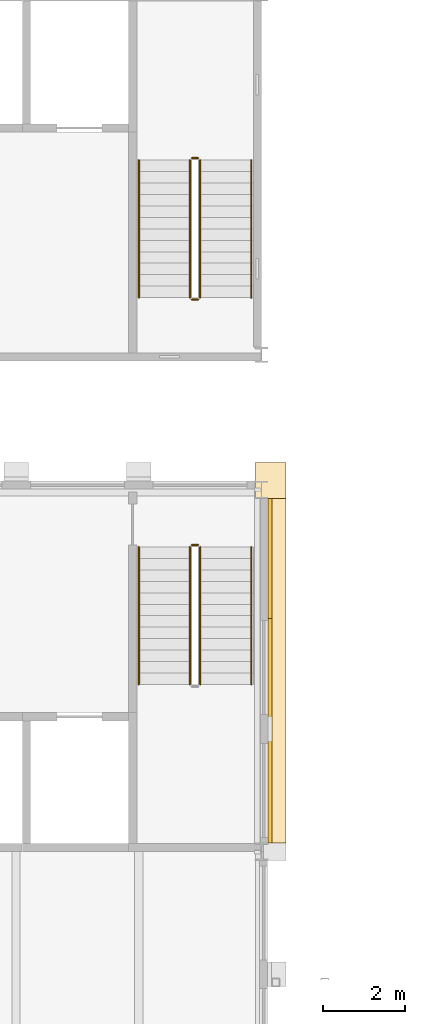
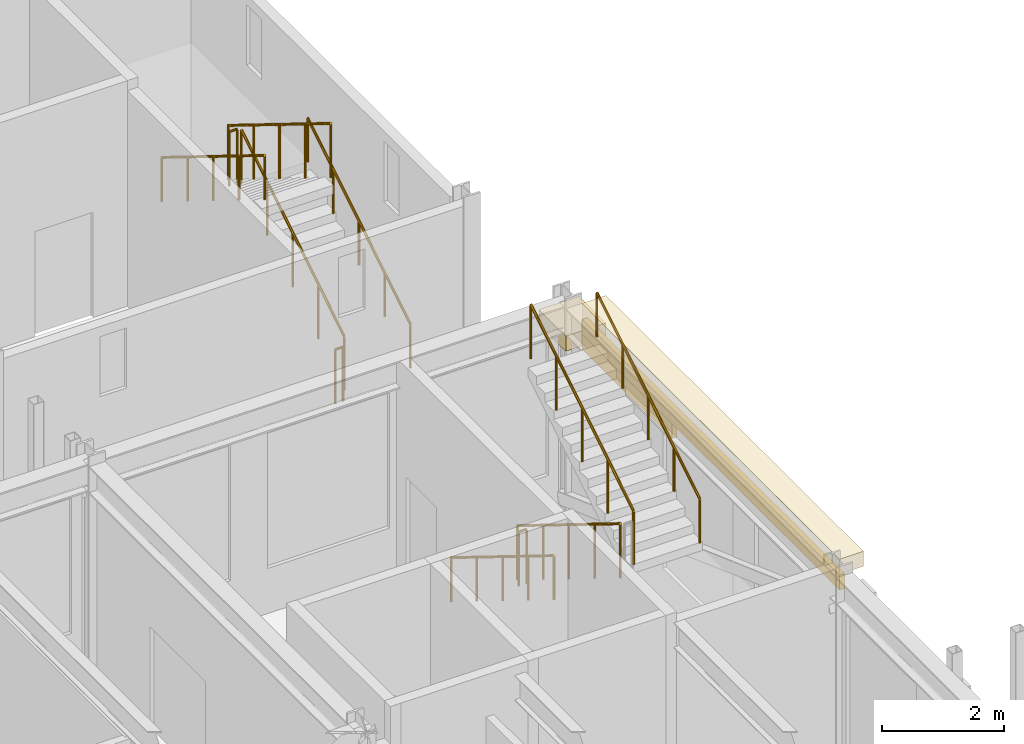
# One storey, part 146 of 153: 11 railings, 4 coverings.
"""IFC4 building model written with IfcOpenShell, lengths in metres."""

from ifc_helpers import new_model, si_unit, direction, frame, origin, origin_2d, place, context, subcontext, project, spatial, rectangle, circle, extrude, material, layer, layer_set, type_object, element, save


model = new_model("IFC4")

# Units and contexts
model_context = context("Model", 3, precision=1e-05, world=origin(), true_north=direction((0.0, 1.0)))
body_context = subcontext(model_context, "Body", "Model", "MODEL_VIEW")
ifc_project = project(units=[si_unit("LENGTHUNIT", "METRE"), si_unit("AREAUNIT", "SQUARE_METRE"), si_unit("VOLUMEUNIT", "CUBIC_METRE"), si_unit("PLANEANGLEUNIT", "RADIAN"), si_unit("MASSUNIT", "GRAM", prefix="KILO")], contexts=[model_context])

# Site, building, storey
site_placement = place(None, origin())
site = spatial("IfcSite", under=ifc_project, at=site_placement, CompositionType="ELEMENT")
building_placement = place(site_placement, origin())
building = spatial("IfcBuilding", under=site, at=building_placement, Name="Kallimachos Central Library", CompositionType="ELEMENT")
storey_placement = place(building_placement, frame((0.0, 0.0, 5.39990234375)))
storey = spatial("IfcBuildingStorey", under=building, at=storey_placement, Name="L01", CompositionType="ELEMENT", Elevation=5.39990234375)

# Coverings
ifc_material_1 = material(Name="Glazed ceramic frieze, green")
ifc_layer_1 = layer(ifc_material_1, 0.10009765625)
ifc_layer_set_1 = layer_set([ifc_layer_1], Name="Glazed ceramic frieze, green")
covering_type_1 = type_object("IfcCoveringType", Name="Glazed ceramic frieze, green", PredefinedType="CLADDING", material=ifc_layer_set_1)
covering_1_placement = place(storey_placement, frame((110.70361328125, 79.425048828125, 3.68017578125), z_axis=(0.0, 0.0, 1.0), x_axis=(1.0, 0.0, 0.0)))
element("IfcCovering", 1, at=covering_1_placement, inside=storey, type_object=covering_type_1, Name="Glazed ceramic frieze, green -L01-032", PredefinedType="CLADDING", context=body_context, shape_type="SweptSolid", body=[
    extrude(rectangle(XDim=0.10009765625, YDim=8.41796875, at=origin_2d()), origin(), (0.0, 0.0, 1.0), 0.300048828125),
])
ifc_material_2 = material(Name="Glazed ceramic frieze, ochre")
ifc_layer_2 = layer(ifc_material_2, 0.10009765625)
ifc_layer_set_2 = layer_set([ifc_layer_2], Name="Glazed ceramic frieze, ochre")
covering_type_2 = type_object("IfcCoveringType", Name="Glazed ceramic frieze, ochre", PredefinedType="CLADDING", material=ifc_layer_set_2)
covering_2_placement = place(storey_placement, frame((110.70361328125, 82.1669921875, 3.3798828125), z_axis=(0.0, 0.0, 1.0), x_axis=(1.0, 0.0, 0.0)))
element("IfcCovering", 2, at=covering_2_placement, inside=storey, type_object=covering_type_2, Name="Glazed ceramic frieze, ochre -L01-032", PredefinedType="CLADDING", context=body_context, shape_type="SweptSolid", body=[
    extrude(rectangle(XDim=0.10009765625, YDim=2.93408203125, at=origin_2d()), origin(), (0.0, 0.0, 1.0), 0.300048828125),
])

# Railings
ifc_material_3 = material(Name="Wrought iron")
railing_type_1 = type_object("IfcRailingType", Name="Stair guard", PredefinedType="GUARDRAIL", material=ifc_material_3)
railing_1_placement = place(storey_placement, frame((108.75, 82.449951171875, 0.173095703125)))
element("IfcRailing", 3, at=railing_1_placement, inside=storey, type_object=railing_type_1, Name="L01 ST10 stair guard 1", PredefinedType="GUARDRAIL", context=body_context, shape_type="SweptSolid", body=[
    extrude(circle(Radius=0.02392578125, at=origin_2d()), frame((0.0, 0.0, 1.076171875), z_axis=(0.0, -0.850606129759, 0.525803396734), x_axis=(1.0, 0.0, 0.0)), (0.0, 0.0, 1.0), 3.949951171875),
    extrude(circle(Radius=0.02099609375, at=origin_2d()), origin(), (0.0, 0.0, 1.0), 1.052001953125),
    extrude(circle(Radius=0.02099609375, at=origin_2d()), frame((0.0, -0.83984375, 0.519287109375)), (0.0, 0.0, 1.0), 1.052001953125),
    extrude(circle(Radius=0.02099609375, at=origin_2d()), frame((0.0, -1.679931640625, 1.03857421875)), (0.0, 0.0, 1.0), 1.052001953125),
    extrude(circle(Radius=0.02099609375, at=origin_2d()), frame((0.0, -2.52001953125, 1.5576171875)), (0.0, 0.0, 1.0), 1.052001953125),
    extrude(circle(Radius=0.02099609375, at=origin_2d()), frame((0.0, -3.35986328125, 2.076904296875)), (0.0, 0.0, 1.0), 1.052001953125),
])
railing_2_placement = place(storey_placement, frame((109.0, 79.090087890625, 2.423095703125)))
element("IfcRailing", 4, at=railing_2_placement, inside=storey, type_object=railing_type_1, Name="L01 ST10 stair guard 3", PredefinedType="GUARDRAIL", context=body_context, shape_type="SweptSolid", body=[
    extrude(circle(Radius=0.02392578125, at=origin_2d()), frame((0.0, 0.0, 1.076171875), z_axis=(0.0, 0.850606129759, 0.525803396734), x_axis=(-1.0, 0.0, 0.0)), (0.0, 0.0, 1.0), 3.949951171875),
    extrude(circle(Radius=0.02099609375, at=origin_2d()), origin(), (0.0, 0.0, 1.0), 1.052001953125),
    extrude(circle(Radius=0.02099609375, at=origin_2d()), frame((0.0, 0.83984375, 0.519287109375)), (0.0, 0.0, 1.0), 1.052001953125),
    extrude(circle(Radius=0.02099609375, at=origin_2d()), frame((0.0, 1.679931640625, 1.03857421875)), (0.0, 0.0, 1.0), 1.052001953125),
    extrude(circle(Radius=0.02099609375, at=origin_2d()), frame((0.0, 2.52001953125, 1.5576171875)), (0.0, 0.0, 1.0), 1.052001953125),
    extrude(circle(Radius=0.02099609375, at=origin_2d()), frame((0.0, 3.35986328125, 2.076904296875)), (0.0, 0.0, 1.0), 1.052001953125),
])
railing_3_placement = place(storey_placement, frame((108.800048828125, 82.5, 0.0)))
element("IfcRailing", 5, at=railing_3_placement, inside=storey, type_object=railing_type_1, Name="L01 ST10 stair guard 4", PredefinedType="GUARDRAIL", context=body_context, shape_type="SweptSolid", body=[
    extrude(circle(Radius=0.02392578125, at=origin_2d()), frame((0.0, 0.0, 1.076171875), z_axis=(1.0, 0.0, 0.0), x_axis=(0.0, 1.0, 0.0)), (0.0, 0.0, 1.0), 0.14990234375),
    extrude(circle(Radius=0.02099609375, at=origin_2d()), origin(), (0.0, 0.0, 1.0), 1.052001953125),
    extrude(circle(Radius=0.02099609375, at=origin_2d()), frame((0.14990234375, 0.0, 0.0)), (0.0, 0.0, 1.0), 1.052001953125),
])
ifc_material_4 = material(Name="Wrought iron")
railing_type_2 = type_object("IfcRailingType", Name="Stair handrail", PredefinedType="HANDRAIL", material=ifc_material_4)
railing_4_placement = place(storey_placement, frame((107.5, 82.449951171875, 0.173095703125)))
element("IfcRailing", 6, at=railing_4_placement, inside=storey, type_object=railing_type_2, Name="L01 ST10 stair handrail 1", PredefinedType="HANDRAIL", context=body_context, shape_type="SweptSolid", body=[
    extrude(circle(Radius=0.02392578125, at=origin_2d()), frame((0.0, 0.0, 0.8759765625), z_axis=(0.0, -0.850606129759, 0.525803396734), x_axis=(1.0, 0.0, 0.0)), (0.0, 0.0, 1.0), 3.949951171875),
    extrude(circle(Radius=0.02099609375, at=origin_2d()), origin(), (0.0, 0.0, 1.0), 0.851806640625),
    extrude(circle(Radius=0.02099609375, at=origin_2d()), frame((0.0, -0.83984375, 0.519287109375)), (0.0, 0.0, 1.0), 0.851806640625),
    extrude(circle(Radius=0.02099609375, at=origin_2d()), frame((0.0, -1.679931640625, 1.03857421875)), (0.0, 0.0, 1.0), 0.851806640625),
    extrude(circle(Radius=0.02099609375, at=origin_2d()), frame((0.0, -2.52001953125, 1.5576171875)), (0.0, 0.0, 1.0), 0.851806640625),
    extrude(circle(Radius=0.02099609375, at=origin_2d()), frame((0.0, -3.35986328125, 2.076904296875)), (0.0, 0.0, 1.0), 0.851806640625),
])
railing_5_placement = place(storey_placement, frame((110.25, 79.090087890625, 2.423095703125)))
element("IfcRailing", 7, at=railing_5_placement, inside=storey, type_object=railing_type_2, Name="L01 ST10 stair handrail 2", PredefinedType="HANDRAIL", context=body_context, shape_type="SweptSolid", body=[
    extrude(circle(Radius=0.02392578125, at=origin_2d()), frame((0.0, 0.0, 0.8759765625), z_axis=(0.0, 0.850606129759, 0.525803396734), x_axis=(-1.0, 0.0, 0.0)), (0.0, 0.0, 1.0), 3.949951171875),
    extrude(circle(Radius=0.02099609375, at=origin_2d()), origin(), (0.0, 0.0, 1.0), 0.851806640625),
    extrude(circle(Radius=0.02099609375, at=origin_2d()), frame((0.0, 0.83984375, 0.519287109375)), (0.0, 0.0, 1.0), 0.851806640625),
    extrude(circle(Radius=0.02099609375, at=origin_2d()), frame((0.0, 1.679931640625, 1.03857421875)), (0.0, 0.0, 1.0), 0.851806640625),
    extrude(circle(Radius=0.02099609375, at=origin_2d()), frame((0.0, 2.52001953125, 1.5576171875)), (0.0, 0.0, 1.0), 0.851806640625),
    extrude(circle(Radius=0.02099609375, at=origin_2d()), frame((0.0, 3.35986328125, 2.076904296875)), (0.0, 0.0, 1.0), 0.851806640625),
])

# Coverings
ifc_material_5 = material(Name="Pentelic marble cornice", Category="masonry")
ifc_layer_3 = layer(ifc_material_5, 0.449951171875)
ifc_layer_set_3 = layer_set([ifc_layer_3], Name="Stone cornice 450")
covering_type_3 = type_object("IfcCoveringType", Name="Stone cornice 450", PredefinedType="MOLDING", material=ifc_layer_set_3)
covering_3_placement = place(storey_placement, frame((110.87841796875, 79.425048828125, 4.0), z_axis=(0.0, 0.0, 1.0), x_axis=(1.0, 0.0, 0.0)))
element("IfcCovering", 8, at=covering_3_placement, inside=storey, type_object=covering_type_3, Name="Stone cornice 450 -L01-032", PredefinedType="MOLDING", context=body_context, shape_type="SweptSolid", body=[
    extrude(rectangle(XDim=0.449951171875, YDim=8.41796875, at=origin_2d()), origin(), (0.0, 0.0, 1.0), 0.300048828125),
])
covering_4_placement = place(storey_placement, frame((110.72509765625, 84.074951171875, 3.4501953125), z_axis=(0.0, 0.0, 1.0), x_axis=(1.0, 0.0, 0.0)))
element("IfcCovering", 9, at=covering_4_placement, inside=storey, type_object=covering_type_3, Name="Stone cornice 450 corner", PredefinedType="MOLDING", context=body_context, shape_type="SweptSolid", body=[
    extrude(rectangle(XDim=0.757080078125, YDim=0.882080078125, at=origin_2d()), origin(), (0.0, 0.0, 1.0), 0.300048828125),
])

# Railings
ifc_material_6 = material(Name="Wrought iron")
railing_type_3 = type_object("IfcRailingType", Name="Wrought-iron handrail 900", PredefinedType="HANDRAIL", material=ifc_material_6)
railing_6_placement = place(storey_placement, frame((110.25, 88.550048828125, 0.173095703125)))
element("IfcRailing", 10, at=railing_6_placement, inside=storey, type_object=railing_type_3, Name="L01 ST2 stair handrail 1", PredefinedType="HANDRAIL", context=body_context, shape_type="SweptSolid", body=[
    extrude(circle(Radius=0.02392578125, at=origin_2d()), frame((0.0, 0.0, 0.8759765625), z_axis=(0.0, 0.850606129759, 0.525803396734), x_axis=(-1.0, 0.0, 0.0)), (0.0, 0.0, 1.0), 3.949951171875),
    extrude(circle(Radius=0.02099609375, at=origin_2d()), origin(), (0.0, 0.0, 1.0), 0.851806640625),
    extrude(circle(Radius=0.02099609375, at=origin_2d()), frame((0.0, 0.83984375, 0.519287109375)), (0.0, 0.0, 1.0), 0.851806640625),
    extrude(circle(Radius=0.02099609375, at=origin_2d()), frame((0.0, 1.679931640625, 1.03857421875)), (0.0, 0.0, 1.0), 0.851806640625),
    extrude(circle(Radius=0.02099609375, at=origin_2d()), frame((0.0, 2.52001953125, 1.5576171875)), (0.0, 0.0, 1.0), 0.851806640625),
    extrude(circle(Radius=0.02099609375, at=origin_2d()), frame((0.0, 3.35986328125, 2.076904296875)), (0.0, 0.0, 1.0), 0.851806640625),
])
railing_7_placement = place(storey_placement, frame((107.5, 91.909912109375, 2.423095703125)))
element("IfcRailing", 11, at=railing_7_placement, inside=storey, type_object=railing_type_3, Name="L01 ST2 stair handrail 2", PredefinedType="HANDRAIL", context=body_context, shape_type="SweptSolid", body=[
    extrude(circle(Radius=0.02392578125, at=origin_2d()), frame((0.0, 0.0, 0.8759765625), z_axis=(0.0, -0.850606129759, 0.525803396734), x_axis=(1.0, 0.0, 0.0)), (0.0, 0.0, 1.0), 3.949951171875),
    extrude(circle(Radius=0.02099609375, at=origin_2d()), origin(), (0.0, 0.0, 1.0), 0.851806640625),
    extrude(circle(Radius=0.02099609375, at=origin_2d()), frame((0.0, -0.83984375, 0.519287109375)), (0.0, 0.0, 1.0), 0.851806640625),
    extrude(circle(Radius=0.02099609375, at=origin_2d()), frame((0.0, -1.679931640625, 1.03857421875)), (0.0, 0.0, 1.0), 0.851806640625),
    extrude(circle(Radius=0.02099609375, at=origin_2d()), frame((0.0, -2.52001953125, 1.5576171875)), (0.0, 0.0, 1.0), 0.851806640625),
    extrude(circle(Radius=0.02099609375, at=origin_2d()), frame((0.0, -3.35986328125, 2.076904296875)), (0.0, 0.0, 1.0), 0.851806640625),
])
ifc_material_7 = material(Name="Wrought iron")
railing_type_4 = type_object("IfcRailingType", Name="Wrought-iron stair guard 1100", PredefinedType="GUARDRAIL", material=ifc_material_7)
railing_8_placement = place(storey_placement, frame((109.0, 88.550048828125, 0.173095703125)))
element("IfcRailing", 12, at=railing_8_placement, inside=storey, type_object=railing_type_4, Name="L01 ST2 stair guard 1", PredefinedType="GUARDRAIL", context=body_context, shape_type="SweptSolid", body=[
    extrude(circle(Radius=0.02392578125, at=origin_2d()), frame((0.0, 0.0, 1.076171875), z_axis=(0.0, 0.850606129759, 0.525803396734), x_axis=(-1.0, 0.0, 0.0)), (0.0, 0.0, 1.0), 3.949951171875),
    extrude(circle(Radius=0.02099609375, at=origin_2d()), origin(), (0.0, 0.0, 1.0), 1.052001953125),
    extrude(circle(Radius=0.02099609375, at=origin_2d()), frame((0.0, 0.83984375, 0.519287109375)), (0.0, 0.0, 1.0), 1.052001953125),
    extrude(circle(Radius=0.02099609375, at=origin_2d()), frame((0.0, 1.679931640625, 1.03857421875)), (0.0, 0.0, 1.0), 1.052001953125),
    extrude(circle(Radius=0.02099609375, at=origin_2d()), frame((0.0, 2.52001953125, 1.5576171875)), (0.0, 0.0, 1.0), 1.052001953125),
    extrude(circle(Radius=0.02099609375, at=origin_2d()), frame((0.0, 3.35986328125, 2.076904296875)), (0.0, 0.0, 1.0), 1.052001953125),
])
railing_9_placement = place(storey_placement, frame((108.949951171875, 91.9599609375, 2.25)))
element("IfcRailing", 13, at=railing_9_placement, inside=storey, type_object=railing_type_4, Name="L01 ST2 stair guard 2", PredefinedType="GUARDRAIL", context=body_context, shape_type="SweptSolid", body=[
    extrude(circle(Radius=0.02392578125, at=origin_2d()), frame((0.0, 0.0, 1.076171875), z_axis=(-1.0, 0.0, 0.0), x_axis=(0.0, -1.0, 0.0)), (0.0, 0.0, 1.0), 0.14990234375),
    extrude(circle(Radius=0.02099609375, at=origin_2d()), origin(), (0.0, 0.0, 1.0), 1.052001953125),
    extrude(circle(Radius=0.02099609375, at=origin_2d()), frame((-0.14990234375, 0.0, 0.0)), (0.0, 0.0, 1.0), 1.052001953125),
])
railing_10_placement = place(storey_placement, frame((108.75, 91.909912109375, 2.423095703125)))
element("IfcRailing", 14, at=railing_10_placement, inside=storey, type_object=railing_type_4, Name="L01 ST2 stair guard 3", PredefinedType="GUARDRAIL", context=body_context, shape_type="SweptSolid", body=[
    extrude(circle(Radius=0.02392578125, at=origin_2d()), frame((0.0, 0.0, 1.076171875), z_axis=(0.0, -0.850606129759, 0.525803396734), x_axis=(1.0, 0.0, 0.0)), (0.0, 0.0, 1.0), 3.949951171875),
    extrude(circle(Radius=0.02099609375, at=origin_2d()), origin(), (0.0, 0.0, 1.0), 1.052001953125),
    extrude(circle(Radius=0.02099609375, at=origin_2d()), frame((0.0, -0.83984375, 0.519287109375)), (0.0, 0.0, 1.0), 1.052001953125),
    extrude(circle(Radius=0.02099609375, at=origin_2d()), frame((0.0, -1.679931640625, 1.03857421875)), (0.0, 0.0, 1.0), 1.052001953125),
    extrude(circle(Radius=0.02099609375, at=origin_2d()), frame((0.0, -2.52001953125, 1.5576171875)), (0.0, 0.0, 1.0), 1.052001953125),
    extrude(circle(Radius=0.02099609375, at=origin_2d()), frame((0.0, -3.35986328125, 2.076904296875)), (0.0, 0.0, 1.0), 1.052001953125),
])
railing_11_placement = place(storey_placement, frame((108.949951171875, 88.5, 0.0)))
element("IfcRailing", 15, at=railing_11_placement, inside=storey, type_object=railing_type_4, Name="L01 ST2 stair guard 4", PredefinedType="GUARDRAIL", context=body_context, shape_type="SweptSolid", body=[
    extrude(circle(Radius=0.02392578125, at=origin_2d()), frame((0.0, 0.0, 1.076171875), z_axis=(-1.0, 0.0, 0.0), x_axis=(0.0, -1.0, 0.0)), (0.0, 0.0, 1.0), 0.14990234375),
    extrude(circle(Radius=0.02099609375, at=origin_2d()), origin(), (0.0, 0.0, 1.0), 1.052001953125),
    extrude(circle(Radius=0.02099609375, at=origin_2d()), frame((-0.14990234375, 0.0, 0.0)), (0.0, 0.0, 1.0), 1.052001953125),
])

save(model, "model.ifc")
